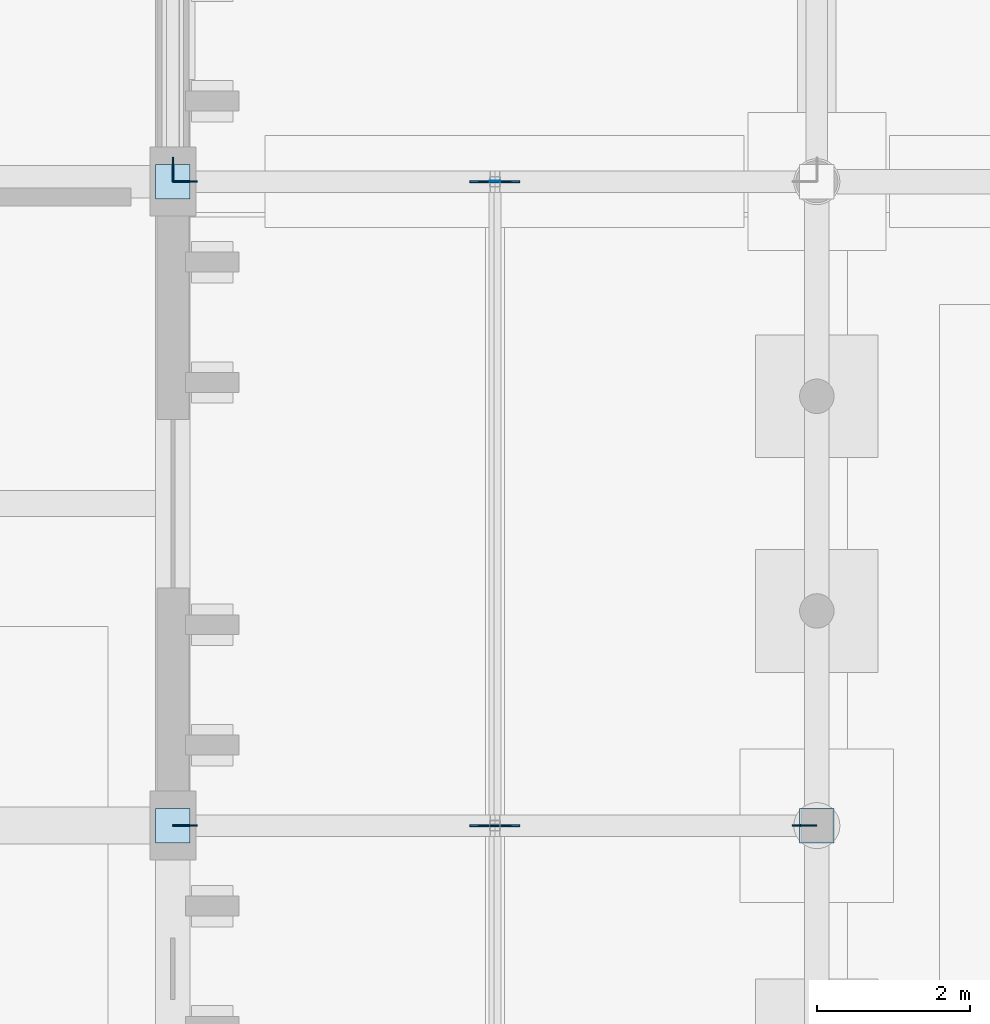
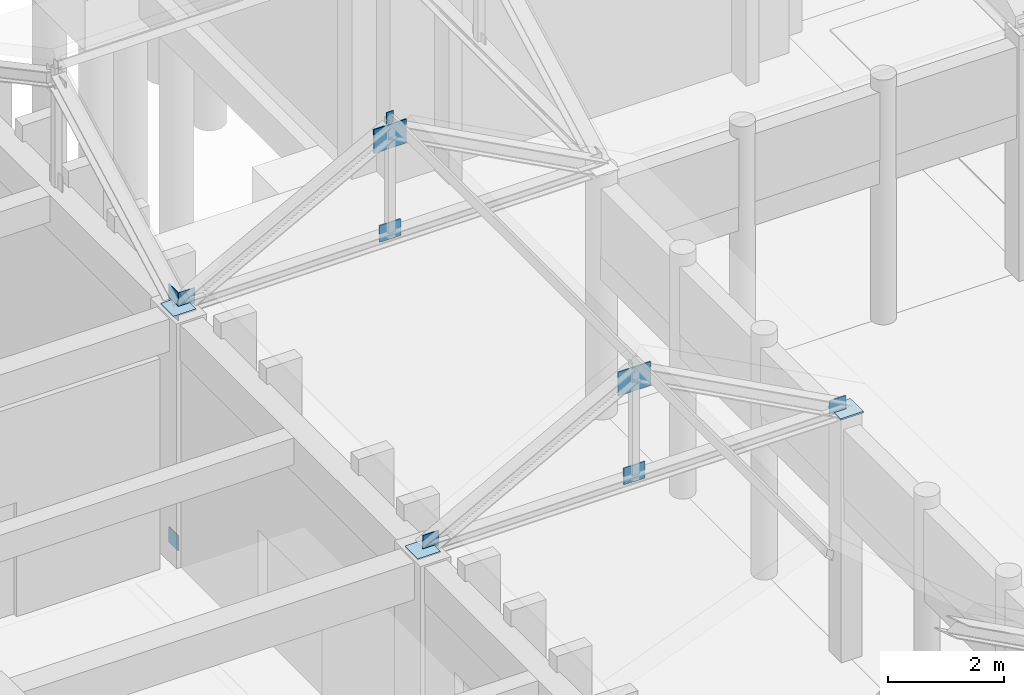
# One storey, part 98 of 143: 14 plates.
"""IFC4 building model written with IfcOpenShell, lengths in metres."""

from ifc_helpers import new_model, si_unit, direction, frame, origin, origin_2d, place, context, subcontext, project, spatial, rectangle, extrude, material, layer, layer_set, type_object, element, save


model = new_model("IFC4")

# Units and contexts
model_context = context("Model", 3, precision=1e-05, world=origin(), true_north=direction((0.0, 1.0)))
body_context = subcontext(model_context, "Body", "Model", "MODEL_VIEW")
ifc_project = project(units=[si_unit("LENGTHUNIT", "METRE"), si_unit("AREAUNIT", "SQUARE_METRE"), si_unit("VOLUMEUNIT", "CUBIC_METRE"), si_unit("PLANEANGLEUNIT", "RADIAN"), si_unit("MASSUNIT", "GRAM", prefix="KILO")], contexts=[model_context])

# Site, building, storey
site_placement = place(None, origin())
site = spatial("IfcSite", under=ifc_project, at=site_placement, CompositionType="ELEMENT")
building_placement = place(site_placement, origin())
building = spatial("IfcBuilding", under=site, at=building_placement, Name="Kveldsbrygga Polytechnic", CompositionType="ELEMENT")
storey_placement = place(building_placement, origin())
storey = spatial("IfcBuildingStorey", under=building, at=storey_placement, Name="L00", CompositionType="ELEMENT", Elevation=0.0)

# Plates
ifc_material = material(Name="Steel S355", Category="steel")
ifc_layer_1 = layer(ifc_material, 0.030029296875)
ifc_layer_set_1 = layer_set([ifc_layer_1], Name="Steel S355")
plate_type_1 = type_object("IfcPlateType", Name="CAP-BEAR-450", PredefinedType="SHEET", material=ifc_layer_set_1)
for number, where, z_axis, x_axis, name in (
    (1, (33.60009765625, 75.60009765625, 5.10986328125), (0.0, 0.0, 1.0), (1.0, 0.0, 0.0), "Truss Bearing Plate ARC-WN-T01-A"),
    (2, (33.60009765625, 67.199951171875, 5.10986328125), (0.0, 0.0, 1.0), (1.0, 0.0, 0.0), "Truss Bearing Plate ARC-WW-T05-A"),
    (3, (42.0, 67.199951171875, 5.10986328125), (0.0, 0.0, 1.0), (1.0, 0.0, 0.0), "Truss Bearing Plate ARC-WW-T05-B"),
):
    element("IfcPlate", number, at=place(storey_placement, frame(where, z_axis=z_axis, x_axis=x_axis)), inside=storey, type_object=plate_type_1, Name=name, PredefinedType="SHEET", context=body_context, shape_type="SweptSolid", body=[
        extrude(rectangle(XDim=0.449951171875, YDim=0.449951171875, at=origin_2d()), origin(), (0.0, 0.0, 1.0), 0.030029296875),
    ])
ifc_layer_2 = layer(ifc_material, 0.011962890625)
ifc_layer_set_2 = layer_set([ifc_layer_2], Name="Steel S355")
plate_type_2 = type_object("IfcPlateType", Name="CAP-PRL-200", PredefinedType="SHEET", material=ifc_layer_set_2)
plate_1_placement = place(storey_placement, frame((37.800048828125, 75.60595703125, 7.513671875), z_axis=(0.0, 0.0, 1.0), x_axis=(1.0, 0.0, 0.0)))
element("IfcPlate", 4, at=plate_1_placement, inside=storey, type_object=plate_type_2, Name="Purlin End Cap Plate ARC-WW-EP-B-1", PredefinedType="SHEET", context=body_context, shape_type="SweptSolid", body=[
    extrude(rectangle(XDim=0.139892578125, YDim=0.011962890625, at=origin_2d()), origin(), (0.0, 0.0, 1.0), 0.239990234375),
])
ifc_layer_3 = layer(ifc_material, 0.02490234375)
ifc_layer_set_3 = layer_set([ifc_layer_3], Name="Steel S355")
plate_type_3 = type_object("IfcPlateType", Name="GUS-APEX-650", PredefinedType="SHEET", material=ifc_layer_set_3)
for number, where, z_axis, x_axis, name in (
    (5, (37.800048828125, 67.199951171875, 6.989990234375), (0.0, 0.0, 1.0), (1.0, 0.0, 0.0), "Truss Gusset Plate ARC-WW-T05-GP-1"),
    (6, (37.800048828125, 75.60009765625, 6.989990234375), (0.0, 0.0, 1.0), (1.0, 0.0, 0.0), "Truss Gusset Plate ARC-WW-T06-GP-1"),
):
    element("IfcPlate", number, at=place(storey_placement, frame(where, z_axis=z_axis, x_axis=x_axis)), inside=storey, type_object=plate_type_3, Name=name, PredefinedType="SHEET", context=body_context, shape_type="SweptSolid", body=[
        extrude(rectangle(XDim=0.64990234375, YDim=0.02490234375, at=origin_2d()), origin(), (0.0, 0.0, 1.0), 0.5),
    ])
ifc_layer_4 = layer(ifc_material, 0.01806640625)
ifc_layer_set_4 = layer_set([ifc_layer_4], Name="Steel S355")
plate_type_4 = type_object("IfcPlateType", Name="GUS-BRACE-320", PredefinedType="SHEET", material=ifc_layer_set_4)
plate_2_placement = place(storey_placement, frame((33.60009765625, 75.760009765625, 5.10009765625), z_axis=(0.0, 0.0, 1.0), x_axis=(1.0, 0.0, 0.0)))
element("IfcPlate", 7, at=plate_2_placement, inside=storey, type_object=plate_type_4, Name="Truss Eaves Node Gusset ARC-WN-T01-EGP-A", PredefinedType="SHEET", context=body_context, shape_type="SweptSolid", body=[
    extrude(rectangle(XDim=0.01806640625, YDim=0.320068359375, at=origin_2d()), origin(), (0.0, 0.0, 1.0), 0.320068359375),
])
for number, where, z_axis, x_axis, name in (
    (8, (33.760009765625, 67.199951171875, 5.10009765625), (0.0, 0.0, 1.0), (1.0, 0.0, 0.0), "Truss Eaves Node Gusset ARC-WW-T05-EGP-A"),
    (9, (41.840087890625, 67.199951171875, 5.10009765625), (0.0, 0.0, 1.0), (1.0, 0.0, 0.0), "Truss Eaves Node Gusset ARC-WW-T05-EGP-B"),
    (10, (33.760009765625, 75.60009765625, 5.10009765625), (0.0, 0.0, 1.0), (1.0, 0.0, 0.0), "Truss Eaves Node Gusset ARC-WW-T06-EGP-A"),
):
    element("IfcPlate", number, at=place(storey_placement, frame(where, z_axis=z_axis, x_axis=x_axis)), inside=storey, type_object=plate_type_4, Name=name, PredefinedType="SHEET", context=body_context, shape_type="SweptSolid", body=[
        extrude(rectangle(XDim=0.320068359375, YDim=0.01806640625, at=origin_2d()), origin(), (0.0, 0.0, 1.0), 0.320068359375),
    ])
for number, where, z_axis, x_axis, name in (
    (11, (33.60009765625, 75.760009765625, 0.0), (0.0, 0.0, 1.0), (1.0, 0.0, 0.0), "Portal Brace End Gusset XGP-VBR-L00-E-9-1"),
    (12, (33.60009765625, 75.760009765625, 4.81982421875), (0.0, 0.0, 1.0), (1.0, 0.0, 0.0), "Portal Brace End Gusset XGP-VBR-L00-E-9-4"),
):
    element("IfcPlate", number, at=place(storey_placement, frame(where, z_axis=z_axis, x_axis=x_axis)), inside=storey, type_object=plate_type_4, Name=name, PredefinedType="SHEET", context=body_context, shape_type="SweptSolid", body=[
        extrude(rectangle(XDim=0.01806640625, YDim=0.320068359375, at=origin_2d()), origin(), (0.0, 0.0, 1.0), 0.320068359375),
    ])
ifc_layer_5 = layer(ifc_material, 0.02001953125)
ifc_layer_set_5 = layer_set([ifc_layer_5], Name="Steel S355")
plate_type_5 = type_object("IfcPlateType", Name="GUS-LECT-420", PredefinedType="SHEET", material=ifc_layer_set_5)
for number, where, z_axis, x_axis, name in (
    (13, (37.800048828125, 67.199951171875, 5.0849609375), (0.0, 0.0, 1.0), (1.0, 0.0, 0.0), "Truss Bottom-Chord Node Gusset ARC-WW-T05-BGP-1"),
    (14, (37.800048828125, 75.60009765625, 5.0849609375), (0.0, 0.0, 1.0), (1.0, 0.0, 0.0), "Truss Bottom-Chord Node Gusset ARC-WW-T06-BGP-1"),
):
    element("IfcPlate", number, at=place(storey_placement, frame(where, z_axis=z_axis, x_axis=x_axis)), inside=storey, type_object=plate_type_5, Name=name, PredefinedType="SHEET", context=body_context, shape_type="SweptSolid", body=[
        extrude(rectangle(XDim=0.419921875, YDim=0.02001953125, at=origin_2d()), origin(), (0.0, 0.0, 1.0), 0.35009765625),
    ])

save(model, "model.ifc")
